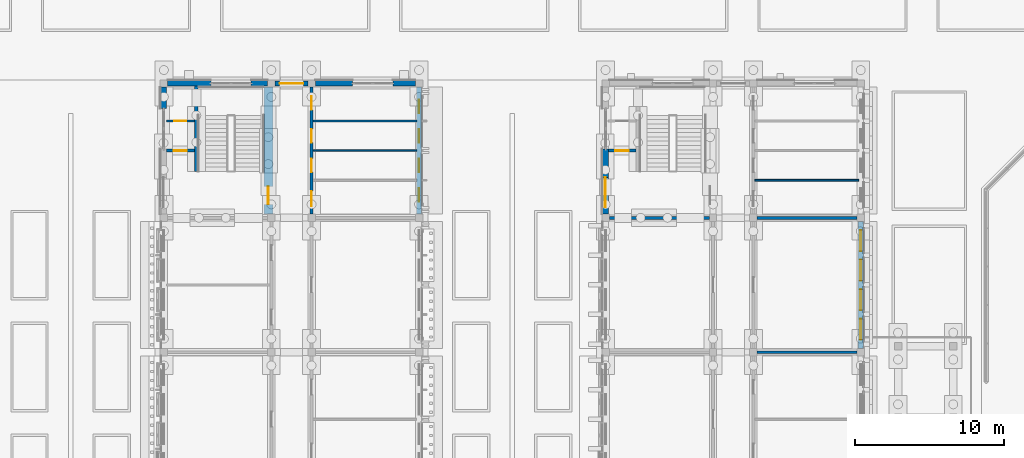
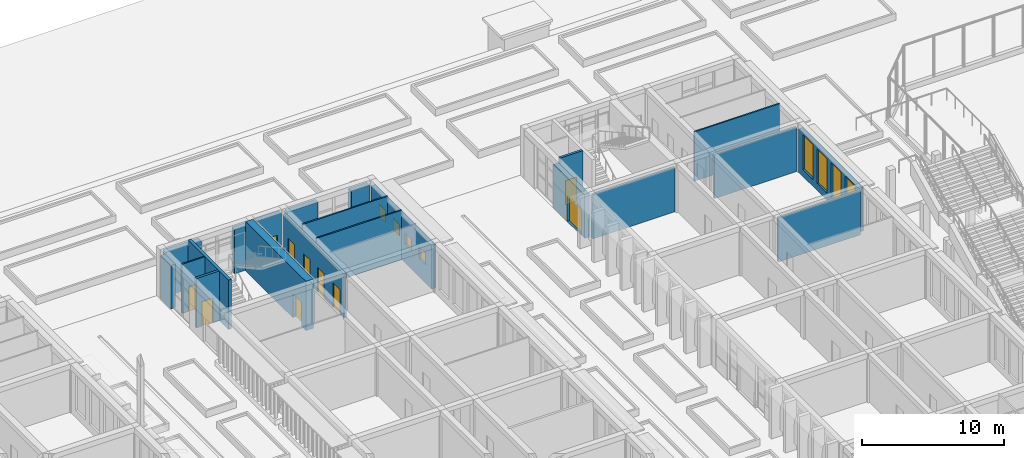
# One storey, part 73 of 161: 21 walls, 10 doors, 8 windows, 18 openings.
"""IFC4 building model written with IfcOpenShell, lengths in metres."""

from ifc_helpers import new_model, si_unit, direction, frame, frame_2d, origin, place, context, subcontext, project, spatial, rectangle, extrude, material, layer, layer_set, type_object, element, fill, save


model = new_model("IFC4")

# Units and contexts
model_context = context("Model", 3, precision=1e-05, world=origin(), true_north=direction((0.0, 1.0)))
body_context = subcontext(model_context, "Body", "Model", "MODEL_VIEW")
ifc_project = project(units=[si_unit("LENGTHUNIT", "METRE"), si_unit("AREAUNIT", "SQUARE_METRE"), si_unit("VOLUMEUNIT", "CUBIC_METRE"), si_unit("PLANEANGLEUNIT", "RADIAN"), si_unit("MASSUNIT", "GRAM", prefix="KILO")], contexts=[model_context])

# Site, building, storey
site_placement = place(None, origin())
site = spatial("IfcSite", under=ifc_project, at=site_placement, CompositionType="ELEMENT")
building_placement = place(site_placement, origin())
building = spatial("IfcBuilding", under=site, at=building_placement, Name="Elbe Cascade School", CompositionType="ELEMENT")
storey_placement = place(building_placement, origin())
storey = spatial("IfcBuildingStorey", under=building, at=storey_placement, Name="L00", CompositionType="ELEMENT", Elevation=0.0)

# Wall
ifc_material_1 = material(Name="Masonry - lime-sand block, plastered", Category="masonry")
ifc_layer_1 = layer(ifc_material_1, 0.175048828125)
ifc_layer_set_1 = layer_set([ifc_layer_1], Name="Masonry - lime-sand block, plastered")
wall_type_1 = type_object("IfcWallType", Name="Bar classroom partition wall lime-sand block 175", PredefinedType="PARTITIONING", material=ifc_layer_set_1)
wall_1_placement = place(storey_placement, frame((167.949951171875, 42.0, 0.0), z_axis=(0.0, 0.0, 1.0), x_axis=(1.0, 0.0, 0.0)))
element("IfcWall", 1, at=wall_1_placement, inside=storey, type_object=wall_type_1, Name="Bar classroom partition wall lime-sand block 175", PredefinedType="PARTITIONING", context=body_context, shape_type="SweptSolid", body=[
    extrude(rectangle(XDim=6.699951171875, YDim=0.175048828125, at=frame_2d((3.35009765625, 0.0))), origin(), (0.0, 0.0, 1.0), 3.800048828125),
])

# Wall, openings, doors
ifc_material_2 = material(Name="Masonry - lime-sand block, plastered", Category="masonry")
ifc_layer_2 = layer(ifc_material_2, 0.199951171875)
ifc_layer_set_2 = layer_set([ifc_layer_2], Name="Masonry - lime-sand block, plastered")
wall_type_2 = type_object("IfcWallType", Name="Bar corridor wall lime-sand block 200 EI 30", PredefinedType="PARTITIONING", material=ifc_layer_set_2)
wall_2_placement = place(storey_placement, frame((138.10009765625, 59.75, 0.0), z_axis=(0.0, 0.0, 1.0), x_axis=(0.0, -1.0, 0.0)))
wall_2 = element("IfcWall", 2, at=wall_2_placement, inside=storey, type_object=wall_type_2, Name="Bar corridor wall lime-sand block 200 EI 30", PredefinedType="PARTITIONING", context=body_context, shape_type="SweptSolid", body=[
    extrude(rectangle(XDim=8.5, YDim=0.199951171875, at=frame_2d((4.25, 0.0))), origin(), (0.0, 0.0, 1.0), 3.800048828125),
])
opening_1_placement = place(wall_2_placement, frame((6.96875, 0.0, 0.0)))
opening_1 = element("IfcOpeningElement", 3, at=opening_1_placement, cuts=wall_2, Name="Opening D0.088", PredefinedType="OPENING", context=body_context, shape_type="SweptSolid", body=[
    extrude(rectangle(XDim=1.0, YDim=2.10009765625, at=frame_2d((0.5, 1.050048828125))), frame((0.0, 0.10986328125, 0.0), z_axis=(0.0, -1.0, 0.0), x_axis=(1.0, 0.0, 0.0)), (0.0, 0.0, 1.0), 0.219970703125),
])
opening_2_placement = place(wall_2_placement, frame((4.7900390625, 0.0, 0.0)))
opening_2 = element("IfcOpeningElement", 4, at=opening_2_placement, cuts=wall_2, Name="Opening D0.091", PredefinedType="OPENING", context=body_context, shape_type="SweptSolid", body=[
    extrude(rectangle(XDim=0.89990234375, YDim=2.10009765625, at=frame_2d((0.449951171875, 1.050048828125))), frame((0.0, 0.10986328125, 0.0), z_axis=(0.0, -1.0, 0.0), x_axis=(1.0, 0.0, 0.0)), (0.0, 0.0, 1.0), 0.219970703125),
])
opening_3_placement = place(wall_2_placement, frame((2.81005859375, 0.0, 0.0)))
opening_3 = element("IfcOpeningElement", 5, at=opening_3_placement, cuts=wall_2, Name="Opening D0.093", PredefinedType="OPENING", context=body_context, shape_type="SweptSolid", body=[
    extrude(rectangle(XDim=0.89990234375, YDim=2.10009765625, at=frame_2d((0.449951171875, 1.050048828125))), frame((0.0, 0.10986328125, 0.0), z_axis=(0.0, -1.0, 0.0), x_axis=(1.0, 0.0, 0.0)), (0.0, 0.0, 1.0), 0.219970703125),
])
opening_4_placement = place(wall_2_placement, frame((0.62109375, 0.0, 0.0)))
opening_4 = element("IfcOpeningElement", 6, at=opening_4_placement, cuts=wall_2, Name="Opening D0.095", PredefinedType="OPENING", context=body_context, shape_type="SweptSolid", body=[
    extrude(rectangle(XDim=0.89990234375, YDim=2.10009765625, at=frame_2d((0.449951171875, 1.050048828125))), frame((0.0, 0.10986328125, 0.0), z_axis=(0.0, -1.0, 0.0), x_axis=(1.0, 0.0, 0.0)), (0.0, 0.0, 1.0), 0.219970703125),
])
ifc_material_3 = material(Name="Timber door leaf, fire-resisting, steel frame", Category="steel")
door_type_1 = type_object("IfcDoorType", Name="Bar door FD30 1000x2100", OperationType="NOTDEFINED", PredefinedType="DOOR", material=ifc_material_3)
door_1_placement = place(opening_1_placement, origin())
door_1 = element("IfcDoor", 7, at=door_1_placement, inside=storey, type_object=door_type_1, Name="Door C0.18", OperationType="SINGLE_SWING_LEFT", OverallHeight=2.10009765625, OverallWidth=1.0, PredefinedType="DOOR", context=body_context, shape_type="SweptSolid", body=[
    extrude(rectangle(XDim=1.0, YDim=2.10009765625, at=frame_2d((0.5, 1.050048828125))), frame((0.0, 0.02490234375, 0.0), z_axis=(0.0, -1.0, 0.0), x_axis=(1.0, 0.0, 0.0)), (0.0, 0.0, 1.0), 0.050048828125),
])
fill(opening_1, door_1)
ifc_material_4 = material(Name="Timber door leaf, fire-resisting, steel frame", Category="steel")
door_type_2 = type_object("IfcDoorType", Name="Bar door FD30 900x2100", OperationType="NOTDEFINED", PredefinedType="DOOR", material=ifc_material_4)
door_2_placement = place(opening_2_placement, origin())
door_2 = element("IfcDoor", 8, at=door_2_placement, inside=storey, type_object=door_type_2, Name="Door C0.17", OperationType="SINGLE_SWING_RIGHT", OverallHeight=2.10009765625, OverallWidth=0.89990234375, PredefinedType="DOOR", context=body_context, shape_type="SweptSolid", body=[
    extrude(rectangle(XDim=0.89990234375, YDim=2.10009765625, at=frame_2d((0.449951171875, 1.050048828125))), frame((0.0, 0.02490234375, 0.0), z_axis=(0.0, -1.0, 0.0), x_axis=(1.0, 0.0, 0.0)), (0.0, 0.0, 1.0), 0.050048828125),
])
fill(opening_2, door_2)
door_3_placement = place(opening_3_placement, origin())
door_3 = element("IfcDoor", 9, at=door_3_placement, inside=storey, type_object=door_type_2, Name="Door C0.16", OperationType="SINGLE_SWING_LEFT", OverallHeight=2.10009765625, OverallWidth=0.89990234375, PredefinedType="DOOR", context=body_context, shape_type="SweptSolid", body=[
    extrude(rectangle(XDim=0.89990234375, YDim=2.10009765625, at=frame_2d((0.449951171875, 1.050048828125))), frame((0.0, 0.02490234375, 0.0), z_axis=(0.0, -1.0, 0.0), x_axis=(1.0, 0.0, 0.0)), (0.0, 0.0, 1.0), 0.050048828125),
])
fill(opening_3, door_3)
door_4_placement = place(opening_4_placement, origin())
door_4 = element("IfcDoor", 10, at=door_4_placement, inside=storey, type_object=door_type_2, Name="Door C0.15", OperationType="SINGLE_SWING_RIGHT", OverallHeight=2.10009765625, OverallWidth=0.89990234375, PredefinedType="DOOR", context=body_context, shape_type="SweptSolid", body=[
    extrude(rectangle(XDim=0.89990234375, YDim=2.10009765625, at=frame_2d((0.449951171875, 1.050048828125))), frame((0.0, 0.02490234375, 0.0), z_axis=(0.0, -1.0, 0.0), x_axis=(1.0, 0.0, 0.0)), (0.0, 0.0, 1.0), 0.050048828125),
])
fill(opening_4, door_4)

# Wall, opening, door
ifc_material_5 = material(Name="Masonry - lime-sand block, plastered", Category="masonry")
ifc_layer_3 = layer(ifc_material_5, 0.114990234375)
ifc_layer_set_3 = layer_set([ifc_layer_3], Name="Masonry - lime-sand block, plastered")
wall_type_3 = type_object("IfcWallType", Name="Bar light partition wall lime-sand block 115", PredefinedType="PARTITIONING", material=ifc_layer_set_3)
wall_3_placement = place(storey_placement, frame((128.3798828125, 57.47998046875, 0.0), z_axis=(0.0, 0.0, 1.0), x_axis=(1.0, 0.0, 0.0)))
wall_3 = element("IfcWall", 11, at=wall_3_placement, inside=storey, type_object=wall_type_3, Name="Bar light partition wall lime-sand block 115", PredefinedType="PARTITIONING", context=body_context, shape_type="SweptSolid", body=[
    extrude(rectangle(XDim=1.8701171875, YDim=0.114990234375, at=frame_2d((0.93505859375, 0.0))), origin(), (0.0, 0.0, 1.0), 4.25),
])
opening_5_placement = place(wall_3_placement, frame((0.52001953125, 0.0, 0.0)))
opening_5 = element("IfcOpeningElement", 12, at=opening_5_placement, cuts=wall_3, Name="Opening D0.094", PredefinedType="OPENING", context=body_context, shape_type="SweptSolid", body=[
    extrude(rectangle(XDim=0.800048828125, YDim=2.10009765625, at=frame_2d((0.39990234375, 1.050048828125))), frame((0.0, 0.0673828125, 0.0), z_axis=(0.0, -1.0, 0.0), x_axis=(1.0, 0.0, 0.0)), (0.0, 0.0, 1.0), 0.135009765625),
])
ifc_material_6 = material(Name="Timber door leaf, steel frame", Category="steel")
door_type_3 = type_object("IfcDoorType", Name="Bar door 800x2100", OperationType="NOTDEFINED", PredefinedType="DOOR", material=ifc_material_6)
door_5_placement = place(opening_5_placement, origin())
door_5 = element("IfcDoor", 13, at=door_5_placement, inside=storey, type_object=door_type_3, Name="Door C0.14", OperationType="SINGLE_SWING_LEFT", OverallHeight=2.10009765625, OverallWidth=0.800048828125, PredefinedType="DOOR", context=body_context, shape_type="SweptSolid", body=[
    extrude(rectangle(XDim=0.800048828125, YDim=2.10009765625, at=frame_2d((0.39990234375, 1.050048828125))), frame((0.0, 0.02490234375, 0.0), z_axis=(0.0, -1.0, 0.0), x_axis=(1.0, 0.0, 0.0)), (0.0, 0.0, 1.0), 0.050048828125),
])
fill(opening_5, door_5)

# Walls
for number, where, z_axis, x_axis, name in (
    (14, (138.199951171875, 57.47998046875, 0.0), (0.0, 0.0, 1.0), (1.0, 0.0, 0.0), "Bar light partition wall lime-sand block 115"),
    (15, (138.199951171875, 55.5, 0.0), (0.0, 0.0, 1.0), (1.0, 0.0, 0.0), "Bar light partition wall lime-sand block 115"),
    (16, (167.800048828125, 53.52001953125, 0.0), (0.0, 0.0, 1.0), (1.0, 0.0, 0.0), "Bar light partition wall lime-sand block 115"),
):
    element("IfcWall", number, at=place(storey_placement, frame(where, z_axis=z_axis, x_axis=x_axis)), inside=storey, type_object=wall_type_3, Name=name, PredefinedType="PARTITIONING", context=body_context, shape_type="SweptSolid", body=[
        extrude(rectangle(XDim=6.949951171875, YDim=0.114990234375, at=frame_2d((3.47509765625, 0.0))), origin(), (0.0, 0.0, 1.0), 4.25),
    ])
ifc_material_7 = material(Name="Masonry - lime-sand block, plastered", Category="masonry")
ifc_layer_4 = layer(ifc_material_7, 0.199951171875)
ifc_layer_set_4 = layer_set([ifc_layer_4], Name="Masonry - lime-sand block, plastered")
wall_type_4 = type_object("IfcWallType", Name="Bar partition wall lime-sand block 200", PredefinedType="PARTITIONING", material=ifc_layer_set_4)
wall_4_placement = place(storey_placement, frame((167.949951171875, 51.0, 0.0), z_axis=(0.0, 0.0, 1.0), x_axis=(1.0, 0.0, 0.0)))
element("IfcWall", 17, at=wall_4_placement, inside=storey, type_object=wall_type_4, Name="Bar partition wall lime-sand block 200", PredefinedType="PARTITIONING", context=body_context, shape_type="SweptSolid", body=[
    extrude(rectangle(XDim=6.699951171875, YDim=0.199951171875, at=frame_2d((3.35009765625, 0.0))), origin(), (0.0, 0.0, 1.0), 3.800048828125),
])
ifc_material_8 = material(Name="Concrete C30/37", Category="concrete")
ifc_layer_5 = layer(ifc_material_8, 0.25)
ifc_layer_set_5 = layer_set([ifc_layer_5], Name="Concrete C30/37")
wall_type_5 = type_object("IfcWallType", Name="Bar stair core wall RC 250", PredefinedType="SOLIDWALL", material=ifc_layer_set_5)
wall_5_placement = place(storey_placement, frame((130.375, 54.10009765625, 0.0), z_axis=(0.0, 0.0, 1.0), x_axis=(0.0, 1.0, 0.0)))
element("IfcWall", 18, at=wall_5_placement, inside=storey, type_object=wall_type_5, Name="Bar stair core wall RC 250", PredefinedType="SOLIDWALL", context=body_context, shape_type="SweptSolid", body=[
    extrude(rectangle(XDim=5.719970703125, YDim=0.25, at=frame_2d((2.85986328125, 0.0))), origin(), (0.0, 0.0, 1.0), 4.25),
])

# Wall, opening, door
ifc_material_9 = material(Name="Concrete C30/37", Category="concrete")
ifc_layer_6 = layer(ifc_material_9, 0.60009765625)
ifc_layer_set_6 = layer_set([ifc_layer_6], Name="Concrete C30/37")
wall_type_6 = type_object("IfcWallType", Name="Bar stair core wall RC 600", PredefinedType="SOLIDWALL", material=ifc_layer_set_6)
wall_6_placement = place(storey_placement, frame((135.199951171875, 51.25, 0.0), z_axis=(0.0, 0.0, 1.0), x_axis=(0.0, 1.0, 0.0)))
wall_6 = element("IfcWall", 19, at=wall_6_placement, inside=storey, type_object=wall_type_6, Name="Bar stair core wall RC 600", PredefinedType="SOLIDWALL", context=body_context, shape_type="SweptSolid", body=[
    extrude(rectangle(XDim=8.5, YDim=0.60009765625, at=frame_2d((4.25, 0.0))), origin(), (0.0, 0.0, 1.0), 4.25),
])
opening_6_placement = place(wall_6_placement, frame((0.64990234375, 0.0, 0.0)))
opening_6 = element("IfcOpeningElement", 20, at=opening_6_placement, cuts=wall_6, Name="Opening D0.089", PredefinedType="OPENING", context=body_context, shape_type="SweptSolid", body=[
    extrude(rectangle(XDim=1.199951171875, YDim=2.10009765625, at=frame_2d((0.60009765625, 1.050048828125))), frame((0.0, 0.31005859375, 0.0), z_axis=(0.0, -1.0, 0.0), x_axis=(1.0, 0.0, 0.0)), (0.0, 0.0, 1.0), 0.6201171875),
])
ifc_material_10 = material(Name="Timber door leaf, fire-resisting and smoke-tight, steel frame", Category="steel")
door_type_4 = type_object("IfcDoorType", Name="Bar door FD30S 1200x2100", OperationType="NOTDEFINED", PredefinedType="DOOR", material=ifc_material_10)
door_6_placement = place(opening_6_placement, origin())
door_6 = element("IfcDoor", 21, at=door_6_placement, inside=storey, type_object=door_type_4, Name="Door C0.12", OperationType="SINGLE_SWING_RIGHT", OverallHeight=2.10009765625, OverallWidth=1.199951171875, PredefinedType="DOOR", context=body_context, shape_type="SweptSolid", body=[
    extrude(rectangle(XDim=1.199951171875, YDim=2.10009765625, at=frame_2d((0.60009765625, 1.050048828125))), frame((0.0, 0.02490234375, 0.0), z_axis=(0.0, -1.0, 0.0), x_axis=(1.0, 0.0, 0.0)), (0.0, 0.0, 1.0), 0.050048828125),
])
fill(opening_6, door_6)

ifc_material_11 = material(Name="Concrete C30/37", Category="concrete")
ifc_layer_7 = layer(ifc_material_11, 0.199951171875)
ifc_layer_set_7 = layer_set([ifc_layer_7], Name="Concrete C30/37")
wall_type_7 = type_object("IfcWallType", Name="Bar stair lobby wall RC 200", PredefinedType="SOLIDWALL", material=ifc_layer_set_7)
wall_7_placement = place(storey_placement, frame((128.3798828125, 55.5, 0.0), z_axis=(0.0, 0.0, 1.0), x_axis=(1.0, 0.0, 0.0)))
wall_7 = element("IfcWall", 22, at=wall_7_placement, inside=storey, type_object=wall_type_7, Name="Bar stair lobby wall RC 200", PredefinedType="SOLIDWALL", context=body_context, shape_type="SweptSolid", body=[
    extrude(rectangle(XDim=1.8701171875, YDim=0.199951171875, at=frame_2d((0.93505859375, 0.0))), origin(), (0.0, 0.0, 1.0), 4.25),
])
opening_7_placement = place(wall_7_placement, frame((0.469970703125, 0.0, 0.0)))
opening_7 = element("IfcOpeningElement", 23, at=opening_7_placement, cuts=wall_7, Name="Opening D0.092", PredefinedType="OPENING", context=body_context, shape_type="SweptSolid", body=[
    extrude(rectangle(XDim=0.89990234375, YDim=2.10009765625, at=frame_2d((0.449951171875, 1.050048828125))), frame((0.0, 0.10986328125, 0.0), z_axis=(0.0, -1.0, 0.0), x_axis=(1.0, 0.0, 0.0)), (0.0, 0.0, 1.0), 0.219970703125),
])
ifc_material_12 = material(Name="Timber door leaf, fire-resisting and smoke-tight, steel frame", Category="steel")
door_type_5 = type_object("IfcDoorType", Name="Bar door FD30S 900x2100", OperationType="NOTDEFINED", PredefinedType="DOOR", material=ifc_material_12)
door_7_placement = place(opening_7_placement, origin())
door_7 = element("IfcDoor", 24, at=door_7_placement, inside=storey, type_object=door_type_5, Name="Door C0.13", OperationType="SINGLE_SWING_RIGHT", OverallHeight=2.10009765625, OverallWidth=0.89990234375, PredefinedType="DOOR", context=body_context, shape_type="SweptSolid", body=[
    extrude(rectangle(XDim=0.89990234375, YDim=2.10009765625, at=frame_2d((0.449951171875, 1.050048828125))), frame((0.0, 0.02490234375, 0.0), z_axis=(0.0, -1.0, 0.0), x_axis=(1.0, 0.0, 0.0)), (0.0, 0.0, 1.0), 0.050048828125),
])
fill(opening_7, door_7)

wall_8_placement = place(storey_placement, frame((157.97998046875, 55.5, 0.0), z_axis=(0.0, 0.0, 1.0), x_axis=(1.0, 0.0, 0.0)))
wall_8 = element("IfcWall", 25, at=wall_8_placement, inside=storey, type_object=wall_type_7, Name="Bar stair lobby wall RC 200", PredefinedType="SOLIDWALL", context=body_context, shape_type="SweptSolid", body=[
    extrude(rectangle(XDim=1.8701171875, YDim=0.199951171875, at=frame_2d((0.93505859375, 0.0))), origin(), (0.0, 0.0, 1.0), 4.25),
])
opening_8_placement = place(wall_8_placement, frame((0.469970703125, 0.0, 0.0)))
opening_8 = element("IfcOpeningElement", 26, at=opening_8_placement, cuts=wall_8, Name="Opening D0.122", PredefinedType="OPENING", context=body_context, shape_type="SweptSolid", body=[
    extrude(rectangle(XDim=0.89990234375, YDim=2.10009765625, at=frame_2d((0.449951171875, 1.050048828125))), frame((0.0, 0.10986328125, 0.0), z_axis=(0.0, -1.0, 0.0), x_axis=(1.0, 0.0, 0.0)), (0.0, 0.0, 1.0), 0.219970703125),
])
door_8_placement = place(opening_8_placement, origin())
door_8 = element("IfcDoor", 27, at=door_8_placement, inside=storey, type_object=door_type_5, Name="Door D0.13", OperationType="SINGLE_SWING_RIGHT", OverallHeight=2.10009765625, OverallWidth=0.89990234375, PredefinedType="DOOR", context=body_context, shape_type="SweptSolid", body=[
    extrude(rectangle(XDim=0.89990234375, YDim=2.10009765625, at=frame_2d((0.449951171875, 1.050048828125))), frame((0.0, 0.02490234375, 0.0), z_axis=(0.0, -1.0, 0.0), x_axis=(1.0, 0.0, 0.0)), (0.0, 0.0, 1.0), 0.050048828125),
])
fill(opening_8, door_8)

# Wall
wall_9_placement = place(storey_placement, frame((158.050048828125, 51.0, 0.0), z_axis=(0.0, 0.0, 1.0), x_axis=(1.0, 0.0, 0.0)))
element("IfcWall", 28, at=wall_9_placement, inside=storey, type_object=wall_type_7, Name="Bar stair lobby wall RC 200", PredefinedType="SOLIDWALL", context=body_context, shape_type="SweptSolid", body=[
    extrude(rectangle(XDim=6.699951171875, YDim=0.199951171875, at=frame_2d((3.35009765625, 0.0))), origin(), (0.0, 0.0, 1.0), 3.800048828125),
])

# Wall, openings, windows
ifc_material_13 = material(Name="Brick masonry - red clinker, cavity wall with render backing", Category="masonry")
ifc_layer_8 = layer(ifc_material_13, 0.360107421875)
ifc_layer_set_8 = layer_set([ifc_layer_8], Name="Brick masonry - red clinker, cavity wall with render backing")
wall_type_8 = type_object("IfcWallType", Name="Bars envelope External wall - clinker brick cavity, 360 ground floor", PredefinedType="STANDARD", material=ifc_layer_set_8)
wall_10_placement = place(storey_placement, frame((145.300048828125, 59.75, 0.0), z_axis=(0.0, 0.0, 1.0), x_axis=(0.0, -1.0, 0.0)))
wall_10 = element("IfcWall", 29, at=wall_10_placement, inside=storey, type_object=wall_type_8, Name="External wall W29 C.L00.e6", PredefinedType="STANDARD", context=body_context, shape_type="SweptSolid", body=[
    extrude(rectangle(XDim=8.5, YDim=0.360107421875, at=frame_2d((4.25, 0.0))), origin(), (0.0, 0.0, 1.0), 3.75),
])
opening_9_placement = place(wall_10_placement, frame((6.77001953125, 0.0, 1.60009765625)))
opening_9 = element("IfcOpeningElement", 30, at=opening_9_placement, cuts=wall_10, Name="Opening W0.087", PredefinedType="OPENING", context=body_context, shape_type="SweptSolid", body=[
    extrude(rectangle(XDim=0.89990234375, YDim=1.0, at=frame_2d((0.449951171875, 0.5))), frame((0.0, 0.18994140625, 0.0), z_axis=(0.0, -1.0, 0.0), x_axis=(1.0, 0.0, 0.0)), (0.0, 0.0, 1.0), 0.380126953125),
])
opening_10_placement = place(wall_10_placement, frame((4.7900390625, 0.0, 1.60009765625)))
opening_10 = element("IfcOpeningElement", 31, at=opening_10_placement, cuts=wall_10, Name="Opening W0.088", PredefinedType="OPENING", context=body_context, shape_type="SweptSolid", body=[
    extrude(rectangle(XDim=0.89990234375, YDim=1.0, at=frame_2d((0.449951171875, 0.5))), frame((0.0, 0.18994140625, 0.0), z_axis=(0.0, -1.0, 0.0), x_axis=(1.0, 0.0, 0.0)), (0.0, 0.0, 1.0), 0.380126953125),
])
opening_11_placement = place(wall_10_placement, frame((2.81005859375, 0.0, 1.60009765625)))
opening_11 = element("IfcOpeningElement", 32, at=opening_11_placement, cuts=wall_10, Name="Opening W0.089", PredefinedType="OPENING", context=body_context, shape_type="SweptSolid", body=[
    extrude(rectangle(XDim=0.89990234375, YDim=1.0, at=frame_2d((0.449951171875, 0.5))), frame((0.0, 0.18994140625, 0.0), z_axis=(0.0, -1.0, 0.0), x_axis=(1.0, 0.0, 0.0)), (0.0, 0.0, 1.0), 0.380126953125),
])
opening_12_placement = place(wall_10_placement, frame((0.830078125, 0.0, 1.60009765625)))
opening_12 = element("IfcOpeningElement", 33, at=opening_12_placement, cuts=wall_10, Name="Opening W0.090", PredefinedType="OPENING", context=body_context, shape_type="SweptSolid", body=[
    extrude(rectangle(XDim=0.89990234375, YDim=1.0, at=frame_2d((0.449951171875, 0.5))), frame((0.0, 0.18994140625, 0.0), z_axis=(0.0, -1.0, 0.0), x_axis=(1.0, 0.0, 0.0)), (0.0, 0.0, 1.0), 0.380126953125),
])
ifc_material_14 = material(Name="Aluminium frame with double glazing, bronze anodised", Category="aluminium")
window_type_1 = type_object("IfcWindowType", Name="Bars envelope Window 900 x 1000, WC and service room, high level, aluminium double glazed", PartitioningType="SINGLE_PANEL", PredefinedType="WINDOW", material=ifc_material_14)
window_1_placement = place(opening_9_placement, origin())
window_1 = element("IfcWindow", 34, at=window_1_placement, inside=storey, type_object=window_type_1, Name="Window WN4 C.L00.e6.1", OverallHeight=1.0, OverallWidth=0.89990234375, PartitioningType="SINGLE_PANEL", PredefinedType="WINDOW", context=body_context, shape_type="SweptSolid", body=[
    extrude(rectangle(XDim=0.89990234375, YDim=1.0, at=frame_2d((0.449951171875, 0.5))), frame((0.0, 0.030029296875, 0.0), z_axis=(0.0, -1.0, 0.0), x_axis=(1.0, 0.0, 0.0)), (0.0, 0.0, 1.0), 0.06005859375),
])
fill(opening_9, window_1)
window_2_placement = place(opening_10_placement, origin())
window_2 = element("IfcWindow", 35, at=window_2_placement, inside=storey, type_object=window_type_1, Name="Window WN4 C.L00.e6.2", OverallHeight=1.0, OverallWidth=0.89990234375, PartitioningType="SINGLE_PANEL", PredefinedType="WINDOW", context=body_context, shape_type="SweptSolid", body=[
    extrude(rectangle(XDim=0.89990234375, YDim=1.0, at=frame_2d((0.449951171875, 0.5))), frame((0.0, 0.030029296875, 0.0), z_axis=(0.0, -1.0, 0.0), x_axis=(1.0, 0.0, 0.0)), (0.0, 0.0, 1.0), 0.06005859375),
])
fill(opening_10, window_2)
window_3_placement = place(opening_11_placement, origin())
window_3 = element("IfcWindow", 36, at=window_3_placement, inside=storey, type_object=window_type_1, Name="Window WN4 C.L00.e6.3", OverallHeight=1.0, OverallWidth=0.89990234375, PartitioningType="SINGLE_PANEL", PredefinedType="WINDOW", context=body_context, shape_type="SweptSolid", body=[
    extrude(rectangle(XDim=0.89990234375, YDim=1.0, at=frame_2d((0.449951171875, 0.5))), frame((0.0, 0.030029296875, 0.0), z_axis=(0.0, -1.0, 0.0), x_axis=(1.0, 0.0, 0.0)), (0.0, 0.0, 1.0), 0.06005859375),
])
fill(opening_11, window_3)
window_4_placement = place(opening_12_placement, origin())
window_4 = element("IfcWindow", 37, at=window_4_placement, inside=storey, type_object=window_type_1, Name="Window WN4 C.L00.e6.4", OverallHeight=1.0, OverallWidth=0.89990234375, PartitioningType="SINGLE_PANEL", PredefinedType="WINDOW", context=body_context, shape_type="SweptSolid", body=[
    extrude(rectangle(XDim=0.89990234375, YDim=1.0, at=frame_2d((0.449951171875, 0.5))), frame((0.0, 0.030029296875, 0.0), z_axis=(0.0, -1.0, 0.0), x_axis=(1.0, 0.0, 0.0)), (0.0, 0.0, 1.0), 0.06005859375),
])
fill(opening_12, window_4)

# Wall, opening, door
wall_11_placement = place(storey_placement, frame((135.64990234375, 60.0, 0.0), z_axis=(0.0, 0.0, 1.0), x_axis=(1.0, 0.0, 0.0)))
wall_11 = element("IfcWall", 38, at=wall_11_placement, inside=storey, type_object=wall_type_8, Name="External wall W29 C.L00.n2", PredefinedType="STANDARD", context=body_context, shape_type="SweptSolid", body=[
    extrude(rectangle(XDim=2.2001953125, YDim=0.360107421875, at=frame_2d((1.10009765625, 0.0))), origin(), (0.0, 0.0, 1.0), 3.89990234375),
])
opening_13_placement = place(wall_11_placement, frame((0.300048828125, 0.0, 0.0)))
opening_13 = element("IfcOpeningElement", 39, at=opening_13_placement, cuts=wall_11, Name="Opening D0.096", PredefinedType="OPENING", context=body_context, shape_type="SweptSolid", body=[
    extrude(rectangle(XDim=1.60009765625, YDim=2.10009765625, at=frame_2d((0.800048828125, 1.050048828125))), frame((0.0, 0.18994140625, 0.0), z_axis=(0.0, -1.0, 0.0), x_axis=(1.0, 0.0, 0.0)), (0.0, 0.0, 1.0), 0.380126953125),
])
ifc_material_15 = material(Name="Steel door set, fire resisting", Category="steel")
door_type_6 = type_object("IfcDoorType", Name="Bars envelope Fire exit door, double leaf, 1600 x 2100, fire resisting", OperationType="DOUBLE_DOOR_SINGLE_SWING", PredefinedType="DOOR", material=ifc_material_15)
door_9_placement = place(opening_13_placement, origin())
door_9 = element("IfcDoor", 40, at=door_9_placement, inside=storey, type_object=door_type_6, Name="Fire exit door D16 C.L00.n2", OperationType="DOUBLE_DOOR_SINGLE_SWING", OverallHeight=2.10009765625, OverallWidth=1.60009765625, PredefinedType="DOOR", context=body_context, shape_type="SweptSolid", body=[
    extrude(rectangle(XDim=1.60009765625, YDim=2.10009765625, at=frame_2d((0.800048828125, 1.050048828125))), frame((0.0, 0.02490234375, 0.0), z_axis=(0.0, -1.0, 0.0), x_axis=(1.0, 0.0, 0.0)), (0.0, 0.0, 1.0), 0.050048828125),
])
fill(opening_13, door_9)

# Wall, openings, windows
wall_12_placement = place(storey_placement, frame((174.89990234375, 50.75, 0.0), z_axis=(0.0, 0.0, 1.0), x_axis=(0.0, -1.0, 0.0)))
wall_12 = element("IfcWall", 41, at=wall_12_placement, inside=storey, type_object=wall_type_8, Name="External wall W29 D.L00.e5", PredefinedType="STANDARD", context=body_context, shape_type="SweptSolid", body=[
    extrude(rectangle(XDim=8.5, YDim=0.360107421875, at=frame_2d((4.25, 0.0))), origin(), (0.0, 0.0, 1.0), 3.75),
])
opening_14_placement = place(wall_12_placement, frame((6.52001953125, 0.0, 0.60009765625)))
opening_14 = element("IfcOpeningElement", 42, at=opening_14_placement, cuts=wall_12, Name="Opening W0.114", PredefinedType="OPENING", context=body_context, shape_type="SweptSolid", body=[
    extrude(rectangle(XDim=1.39990234375, YDim=3.0, at=frame_2d((0.699951171875, 1.5))), frame((0.0, 0.18994140625, 0.0), z_axis=(0.0, -1.0, 0.0), x_axis=(1.0, 0.0, 0.0)), (0.0, 0.0, 1.0), 0.380126953125),
])
opening_15_placement = place(wall_12_placement, frame((4.5400390625, 0.0, 0.60009765625)))
opening_15 = element("IfcOpeningElement", 43, at=opening_15_placement, cuts=wall_12, Name="Opening W0.116", PredefinedType="OPENING", context=body_context, shape_type="SweptSolid", body=[
    extrude(rectangle(XDim=1.39990234375, YDim=3.0, at=frame_2d((0.699951171875, 1.5))), frame((0.0, 0.18994140625, 0.0), z_axis=(0.0, -1.0, 0.0), x_axis=(1.0, 0.0, 0.0)), (0.0, 0.0, 1.0), 0.380126953125),
])
opening_16_placement = place(wall_12_placement, frame((2.56005859375, 0.0, 0.60009765625)))
opening_16 = element("IfcOpeningElement", 44, at=opening_16_placement, cuts=wall_12, Name="Opening W0.118", PredefinedType="OPENING", context=body_context, shape_type="SweptSolid", body=[
    extrude(rectangle(XDim=1.39990234375, YDim=3.0, at=frame_2d((0.699951171875, 1.5))), frame((0.0, 0.18994140625, 0.0), z_axis=(0.0, -1.0, 0.0), x_axis=(1.0, 0.0, 0.0)), (0.0, 0.0, 1.0), 0.380126953125),
])
opening_17_placement = place(wall_12_placement, frame((0.580078125, 0.0, 0.60009765625)))
opening_17 = element("IfcOpeningElement", 45, at=opening_17_placement, cuts=wall_12, Name="Opening W0.120", PredefinedType="OPENING", context=body_context, shape_type="SweptSolid", body=[
    extrude(rectangle(XDim=1.39990234375, YDim=3.0, at=frame_2d((0.699951171875, 1.5))), frame((0.0, 0.18994140625, 0.0), z_axis=(0.0, -1.0, 0.0), x_axis=(1.0, 0.0, 0.0)), (0.0, 0.0, 1.0), 0.380126953125),
])
ifc_material_16 = material(Name="Aluminium frame with double glazing, bronze anodised", Category="aluminium")
window_type_2 = type_object("IfcWindowType", Name="Bars envelope Window 1400 x 3000, classroom, aluminium double glazed", PartitioningType="DOUBLE_PANEL_VERTICAL", PredefinedType="WINDOW", material=ifc_material_16)
window_5_placement = place(opening_14_placement, origin())
window_5 = element("IfcWindow", 46, at=window_5_placement, inside=storey, type_object=window_type_2, Name="Window WN12 D.L00.e5.1", OverallHeight=3.0, OverallWidth=1.39990234375, PartitioningType="DOUBLE_PANEL_VERTICAL", PredefinedType="WINDOW", context=body_context, shape_type="SweptSolid", body=[
    extrude(rectangle(XDim=1.39990234375, YDim=3.0, at=frame_2d((0.699951171875, 1.5))), frame((0.0, 0.030029296875, 0.0), z_axis=(0.0, -1.0, 0.0), x_axis=(1.0, 0.0, 0.0)), (0.0, 0.0, 1.0), 0.06005859375),
])
fill(opening_14, window_5)
window_6_placement = place(opening_15_placement, origin())
window_6 = element("IfcWindow", 47, at=window_6_placement, inside=storey, type_object=window_type_2, Name="Window WN12 D.L00.e5.2", OverallHeight=3.0, OverallWidth=1.39990234375, PartitioningType="DOUBLE_PANEL_VERTICAL", PredefinedType="WINDOW", context=body_context, shape_type="SweptSolid", body=[
    extrude(rectangle(XDim=1.39990234375, YDim=3.0, at=frame_2d((0.699951171875, 1.5))), frame((0.0, 0.030029296875, 0.0), z_axis=(0.0, -1.0, 0.0), x_axis=(1.0, 0.0, 0.0)), (0.0, 0.0, 1.0), 0.06005859375),
])
fill(opening_15, window_6)
window_7_placement = place(opening_16_placement, origin())
window_7 = element("IfcWindow", 48, at=window_7_placement, inside=storey, type_object=window_type_2, Name="Window WN12 D.L00.e5.3", OverallHeight=3.0, OverallWidth=1.39990234375, PartitioningType="DOUBLE_PANEL_VERTICAL", PredefinedType="WINDOW", context=body_context, shape_type="SweptSolid", body=[
    extrude(rectangle(XDim=1.39990234375, YDim=3.0, at=frame_2d((0.699951171875, 1.5))), frame((0.0, 0.030029296875, 0.0), z_axis=(0.0, -1.0, 0.0), x_axis=(1.0, 0.0, 0.0)), (0.0, 0.0, 1.0), 0.06005859375),
])
fill(opening_16, window_7)
window_8_placement = place(opening_17_placement, origin())
window_8 = element("IfcWindow", 49, at=window_8_placement, inside=storey, type_object=window_type_2, Name="Window WN12 D.L00.e5.4", OverallHeight=3.0, OverallWidth=1.39990234375, PartitioningType="DOUBLE_PANEL_VERTICAL", PredefinedType="WINDOW", context=body_context, shape_type="SweptSolid", body=[
    extrude(rectangle(XDim=1.39990234375, YDim=3.0, at=frame_2d((0.699951171875, 1.5))), frame((0.0, 0.030029296875, 0.0), z_axis=(0.0, -1.0, 0.0), x_axis=(1.0, 0.0, 0.0)), (0.0, 0.0, 1.0), 0.06005859375),
])
fill(opening_17, window_8)

# Walls
ifc_material_17 = material(Name="Brick masonry - red clinker, solid, sandstone-faced", Category="masonry")
ifc_layer_9 = layer(ifc_material_17, 0.39990234375)
ifc_layer_set_9 = layer_set([ifc_layer_9], Name="Brick masonry - red clinker, solid, sandstone-faced")
wall_type_9 = type_object("IfcWallType", Name="Bars envelope External wall - solid masonry core strip, sandstone faced, 400", PredefinedType="STANDARD", material=ifc_layer_set_9)
wall_13_placement = place(storey_placement, frame((128.179931640625, 58.31005859375, 0.0), z_axis=(0.0, 0.0, 1.0), x_axis=(0.0, 1.0, 0.0)))
element("IfcWall", 50, at=wall_13_placement, inside=storey, type_object=wall_type_9, Name="External wall W31 C.L00.w6b", PredefinedType="STANDARD", context=body_context, shape_type="SweptSolid", body=[
    extrude(rectangle(XDim=1.43994140625, YDim=0.39990234375, at=frame_2d((0.719970703125, 0.0))), origin(), (0.0, 0.0, 1.0), 3.75),
])
wall_14_placement = place(storey_placement, frame((128.449951171875, 60.02001953125, 0.0), z_axis=(0.0, 0.0, 1.0), x_axis=(1.0, 0.0, 0.0)))
element("IfcWall", 51, at=wall_14_placement, inside=storey, type_object=wall_type_9, Name="External wall W31 C.L00.n1a", PredefinedType="STANDARD", context=body_context, shape_type="SweptSolid", body=[
    extrude(rectangle(XDim=2.900146484375, YDim=0.39990234375, at=frame_2d((1.4501953125, 0.0))), origin(), (0.0, 0.0, 1.0), 3.800048828125),
])
wall_15_placement = place(storey_placement, frame((134.050048828125, 60.02001953125, 0.0), z_axis=(0.0, 0.0, 1.0), x_axis=(1.0, 0.0, 0.0)))
element("IfcWall", 52, at=wall_15_placement, inside=storey, type_object=wall_type_9, Name="External wall W31 C.L00.n1b", PredefinedType="STANDARD", context=body_context, shape_type="SweptSolid", body=[
    extrude(rectangle(XDim=1.099853515625, YDim=0.39990234375, at=frame_2d((0.5498046875, 0.0))), origin(), (0.0, 0.0, 1.0), 3.800048828125),
])
wall_16_placement = place(storey_placement, frame((138.35009765625, 60.02001953125, 0.0), z_axis=(0.0, 0.0, 1.0), x_axis=(1.0, 0.0, 0.0)))
element("IfcWall", 53, at=wall_16_placement, inside=storey, type_object=wall_type_9, Name="External wall W31 C.L00.n3a", PredefinedType="STANDARD", context=body_context, shape_type="SweptSolid", body=[
    extrude(rectangle(XDim=2.5, YDim=0.39990234375, at=frame_2d((1.25, 0.0))), origin(), (0.0, 0.0, 1.0), 3.800048828125),
])
wall_17_placement = place(storey_placement, frame((143.550048828125, 60.02001953125, 0.0), z_axis=(0.0, 0.0, 1.0), x_axis=(1.0, 0.0, 0.0)))
element("IfcWall", 54, at=wall_17_placement, inside=storey, type_object=wall_type_9, Name="External wall W31 C.L00.n3b", PredefinedType="STANDARD", context=body_context, shape_type="SweptSolid", body=[
    extrude(rectangle(XDim=1.5, YDim=0.39990234375, at=frame_2d((0.75, 0.0))), origin(), (0.0, 0.0, 1.0), 3.800048828125),
])

# Wall, opening, door
wall_18_placement = place(storey_placement, frame((157.780029296875, 51.25, 0.0), z_axis=(0.0, 0.0, 1.0), x_axis=(0.0, 1.0, 0.0)))
wall_18 = element("IfcWall", 55, at=wall_18_placement, inside=storey, type_object=wall_type_9, Name="External wall W31 D.L00.w6a", PredefinedType="STANDARD", context=body_context, shape_type="SweptSolid", body=[
    extrude(rectangle(XDim=4.360107421875, YDim=0.39990234375, at=frame_2d((2.18017578125, 0.0))), origin(), (0.0, 0.0, 1.0), 3.75),
])
opening_18_placement = place(wall_18_placement, frame((0.449951171875, 0.0, 0.0)))
opening_18 = element("IfcOpeningElement", 56, at=opening_18_placement, cuts=wall_18, Name="Opening D0.120", PredefinedType="OPENING", context=body_context, shape_type="SweptSolid", body=[
    extrude(rectangle(XDim=2.0, YDim=2.199951171875, at=frame_2d((1.0, 1.10009765625))), frame((0.0, 0.2099609375, 0.0), z_axis=(0.0, -1.0, 0.0), x_axis=(1.0, 0.0, 0.0)), (0.0, 0.0, 1.0), 0.419921875),
])
ifc_material_18 = material(Name="Steel door set, fire resisting", Category="steel")
door_type_7 = type_object("IfcDoorType", Name="Bars envelope Stair exit door, double leaf, 2000 x 2200, fire resisting", OperationType="DOUBLE_DOOR_SINGLE_SWING", PredefinedType="DOOR", material=ifc_material_18)
door_10_placement = place(opening_18_placement, origin())
door_10 = element("IfcDoor", 57, at=door_10_placement, inside=storey, type_object=door_type_7, Name="Stair exit door D12 D.L00.w6a", OperationType="DOUBLE_DOOR_SINGLE_SWING", OverallHeight=2.199951171875, OverallWidth=2.0, PredefinedType="DOOR", context=body_context, shape_type="SweptSolid", body=[
    extrude(rectangle(XDim=2.0, YDim=2.199951171875, at=frame_2d((1.0, 1.10009765625))), frame((0.0, 0.02490234375, 0.0), z_axis=(0.0, -1.0, 0.0), x_axis=(1.0, 0.0, 0.0)), (0.0, 0.0, 1.0), 0.050048828125),
])
fill(opening_18, door_10)

save(model, "model.ifc")
